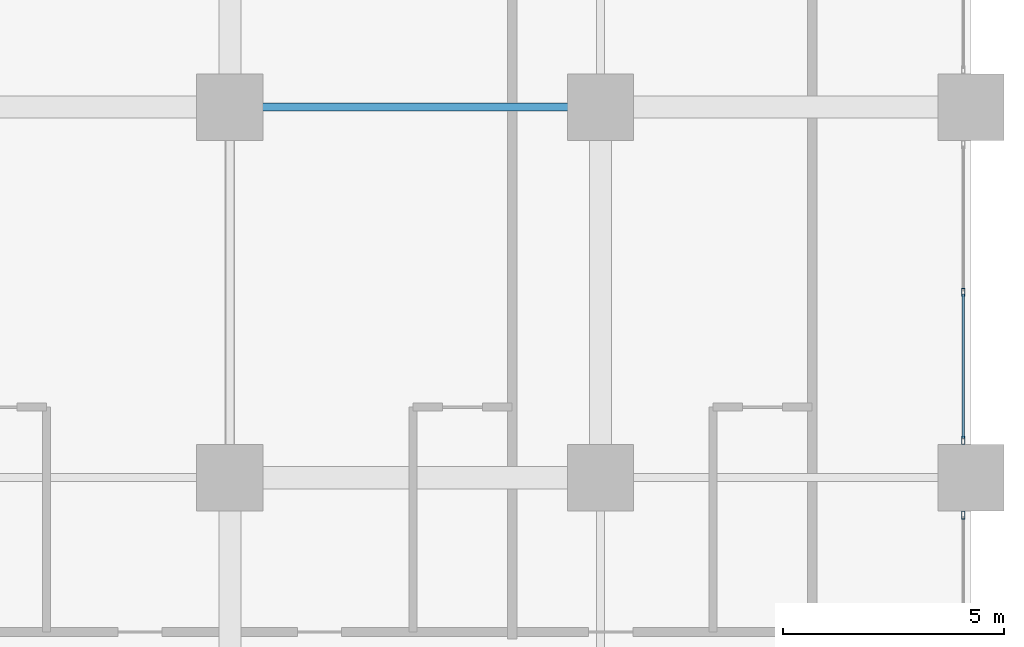
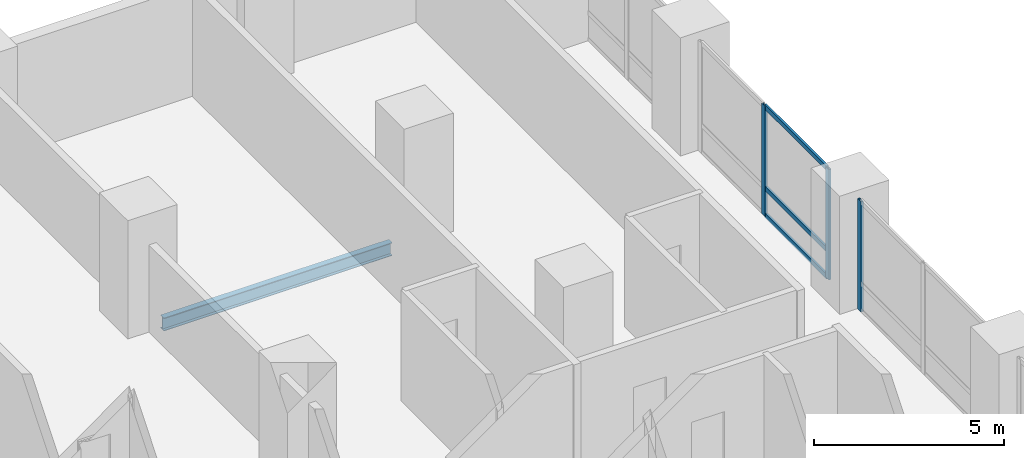
# One storey, part 6 of 26: 6 members, 1 beam, 2 elements without a shape of their own.
"""IFC4 building model written with IfcOpenShell, lengths in metres."""

from ifc_helpers import new_model, si_unit, direction, frame, origin, origin_2d, place, context, subcontext, project, spatial, hollow_rectangle, i_section, extrude, material, layer, layer_set, material_profile, profile_set, type_object, element, aggregate, save


model = new_model("IFC4")

# Units and contexts
model_context = context("Model", 3, precision=1e-05, world=origin(), true_north=direction((0.0, 1.0)))
body_context = subcontext(model_context, "Body", "Model", "MODEL_VIEW")
ifc_project = project(units=[si_unit("LENGTHUNIT", "METRE"), si_unit("AREAUNIT", "SQUARE_METRE"), si_unit("VOLUMEUNIT", "CUBIC_METRE"), si_unit("PLANEANGLEUNIT", "RADIAN"), si_unit("MASSUNIT", "GRAM", prefix="KILO")], contexts=[model_context])

# Site, building, storey
site_placement = place(None, origin())
site = spatial("IfcSite", under=ifc_project, at=site_placement, CompositionType="ELEMENT")
building_placement = place(site_placement, origin())
building = spatial("IfcBuilding", under=site, at=building_placement, Name="Koriwani Terraces Tower", CompositionType="ELEMENT")
storey_placement = place(building_placement, frame((0.0, 0.0, 39.60009765625)))
storey = spatial("IfcBuildingStorey", under=building, at=storey_placement, Name="L08", CompositionType="ELEMENT", Elevation=39.60009765625)

# Curtain wall, members
ifc_material_1 = material(Name="Anodised Bronze Aluminium", Category="aluminium")
ifc_layer = layer(ifc_material_1, 0.179931640625, Name="Anodised Bronze Aluminium")
ifc_layer_set = layer_set([ifc_layer], Name="Anodised Bronze Aluminium")
curtain_wall_type = type_object("IfcCurtainWallType", Name="CW_HOTEL_ZONE1", PredefinedType="NOTDEFINED", material=ifc_layer_set)
curtain_wall_1_placement = place(storey_placement, origin())
curtain_wall_1 = element("IfcCurtainWall", 1, at=curtain_wall_1_placement, inside=storey, type_object=curtain_wall_type, Name="L08 Unitised Curtain Wall (E_TIP) Bay 2", PredefinedType="NOTDEFINED")
ifc_material_profile_1 = material_profile(ifc_material_1, hollow_rectangle(XDim=0.074951171875, YDim=0.179931640625, WallThickness=0.006103515625, at=origin_2d()), Name="Anodised Bronze Aluminium", Category="LoadBearing")
ifc_profile_set_1 = profile_set([ifc_material_profile_1], Name="Anodised Bronze Aluminium")
member_type_1 = type_object("IfcMemberType", Name="CW_MULLION_180X75", PredefinedType="MULLION", material=ifc_profile_set_1)
member_1_placement = place(storey_placement, frame((92.22509765625, 21.0, 0.0), z_axis=(0.0, 0.0, 1.0), x_axis=(1.0, 0.0, 0.0)))
member_1 = element("IfcMember", 2, at=member_1_placement, type_object=member_type_1, Name="CW-Z1 mullion 2", PredefinedType="MULLION", context=body_context, shape_type="SweptSolid", body=[
    extrude(hollow_rectangle(XDim=0.074951171875, YDim=0.179931640625, WallThickness=0.006103515625, at=origin_2d()), origin(), (0.0, 0.0, 1.0), 3.5498046875),
])
member_2_placement = place(storey_placement, frame((92.22509765625, 17.6474609375, 0.0), z_axis=(0.0, 0.0, 1.0), x_axis=(1.0, 0.0, 0.0)))
member_2 = element("IfcMember", 3, at=member_2_placement, type_object=member_type_1, Name="CW-Z1 mullion 3", PredefinedType="MULLION", context=body_context, shape_type="SweptSolid", body=[
    extrude(hollow_rectangle(XDim=0.074951171875, YDim=0.179931640625, WallThickness=0.006103515625, at=origin_2d()), origin(), (0.0, 0.0, 1.0), 3.5498046875),
])

# Curtain wall, member
curtain_wall_2_placement = place(storey_placement, origin())
curtain_wall_2 = element("IfcCurtainWall", 4, at=curtain_wall_2_placement, inside=storey, type_object=curtain_wall_type, Name="L08 Unitised Curtain Wall (E_TIP) Bay 3", PredefinedType="NOTDEFINED")
member_3_placement = place(storey_placement, frame((92.22509765625, 15.952392578125, 0.0), z_axis=(0.0, 0.0, 1.0), x_axis=(1.0, 0.0, 0.0)))
member_3 = element("IfcMember", 5, at=member_3_placement, type_object=member_type_1, Name="CW-Z1 mullion 1", PredefinedType="MULLION", context=body_context, shape_type="SweptSolid", body=[
    extrude(hollow_rectangle(XDim=0.074951171875, YDim=0.179931640625, WallThickness=0.006103515625, at=origin_2d()), origin(), (0.0, 0.0, 1.0), 3.5498046875),
])
aggregate(curtain_wall_2, [member_3])

# Member
ifc_material_profile_2 = material_profile(ifc_material_1, hollow_rectangle(XDim=0.06494140625, YDim=0.14990234375, WallThickness=0.0048828125, at=origin_2d()), Name="Anodised Bronze Aluminium", Category="LoadBearing")
ifc_profile_set_2 = profile_set([ifc_material_profile_2], Name="Anodised Bronze Aluminium")
member_type_2 = type_object("IfcMemberType", Name="CW_TRANSOM_150X65", PredefinedType="USERDEFINED", material=ifc_profile_set_2)
member_4_placement = place(storey_placement, frame((92.22509765625, 20.96240234375, 0.032470703125), z_axis=(0.0, -1.0, 0.0), x_axis=(1.0, 0.0, 0.0)))
member_4 = element("IfcMember", 6, at=member_4_placement, type_object=member_type_2, Name="CW-Z1 transom 2.1", ObjectType="TRANSOM", PredefinedType="USERDEFINED", context=body_context, shape_type="SweptSolid", body=[
    extrude(hollow_rectangle(XDim=0.06494140625, YDim=0.14990234375, WallThickness=0.0048828125, at=origin_2d()), origin(), (0.0, 0.0, 1.0), 3.27734375),
])

member_5_placement = place(storey_placement, frame((92.22509765625, 20.96240234375, 0.89990234375), z_axis=(0.0, -1.0, 0.0), x_axis=(1.0, 0.0, 0.0)))
member_5 = element("IfcMember", 7, at=member_5_placement, type_object=member_type_2, Name="CW-Z1 transom 2.2", ObjectType="TRANSOM", PredefinedType="USERDEFINED", context=body_context, shape_type="SweptSolid", body=[
    extrude(hollow_rectangle(XDim=0.06494140625, YDim=0.14990234375, WallThickness=0.0048828125, at=origin_2d()), origin(), (0.0, 0.0, 1.0), 3.27734375),
])

member_6_placement = place(storey_placement, frame((92.22509765625, 20.96240234375, 3.517333984375), z_axis=(0.0, -1.0, 0.0), x_axis=(1.0, 0.0, 0.0)))
member_6 = element("IfcMember", 8, at=member_6_placement, type_object=member_type_2, Name="CW-Z1 transom 2.3", ObjectType="TRANSOM", PredefinedType="USERDEFINED", context=body_context, shape_type="SweptSolid", body=[
    extrude(hollow_rectangle(XDim=0.06494140625, YDim=0.14990234375, WallThickness=0.0048828125, at=origin_2d()), origin(), (0.0, 0.0, 1.0), 3.27734375),
])

aggregate(curtain_wall_1, [member_1, member_2, member_4, member_5, member_6])

# Beam
ifc_material_2 = material(Name="Steel ASTM A572 Grade 50", Category="steel")
ifc_material_profile_3 = material_profile(ifc_material_2, i_section(OverallWidth=0.180908203125, OverallDepth=0.4169921875, WebThickness=0.010986328125, FlangeThickness=0.018310546875, at=origin_2d()), Name="Steel ASTM A572 Grade 50", Category="LoadBearing")
ifc_profile_set_3 = profile_set([ifc_material_profile_3], Name="Steel ASTM A572 Grade 50")
beam_type = type_object("IfcBeamType", Name="STEEL_BEAM_W410X85", PredefinedType="JOIST", material=ifc_profile_set_3)
beam_placement = place(storey_placement, frame((76.330078125, 25.199951171875, -0.45849609375), z_axis=(1.0, 0.0, 0.0), x_axis=(0.0, 1.0, 0.0)))
element("IfcBeam", 9, at=beam_placement, inside=storey, type_object=beam_type, Name="L08 Grid Beam D (75.6-84.0m)", PredefinedType="JOIST", context=body_context, shape_type="SweptSolid", body=[
    extrude(i_section(OverallWidth=0.180908203125, OverallDepth=0.4169921875, WebThickness=0.010986328125, FlangeThickness=0.018310546875, at=origin_2d()), origin(), (0.0, 0.0, 1.0), 6.93994140625),
])

save(model, "model.ifc")
